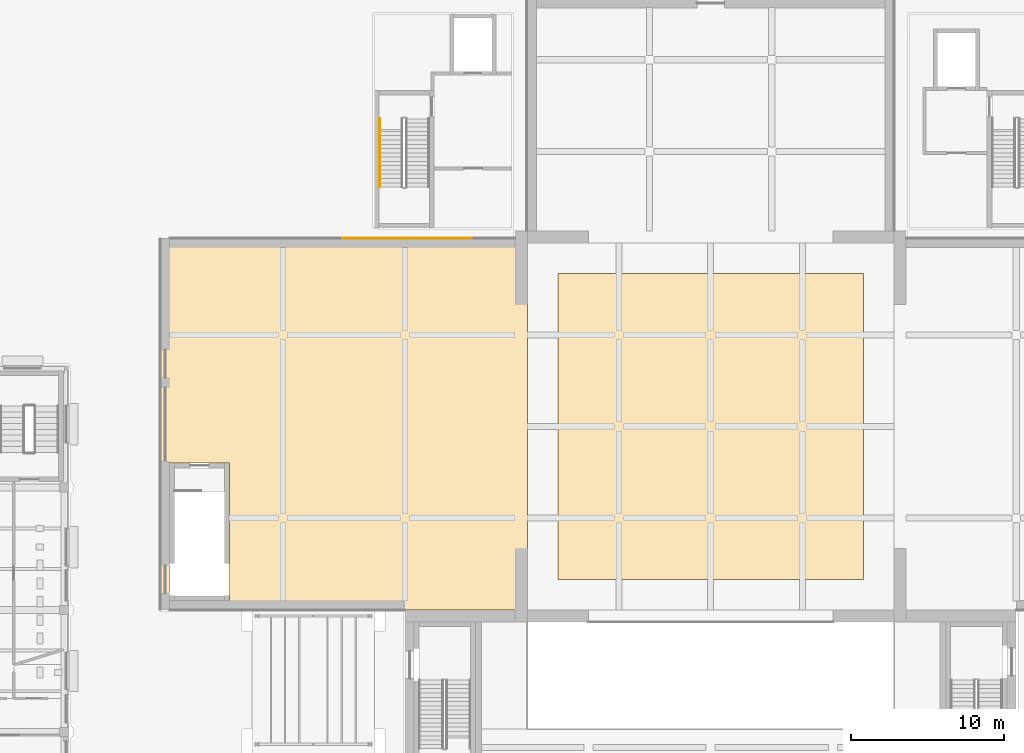
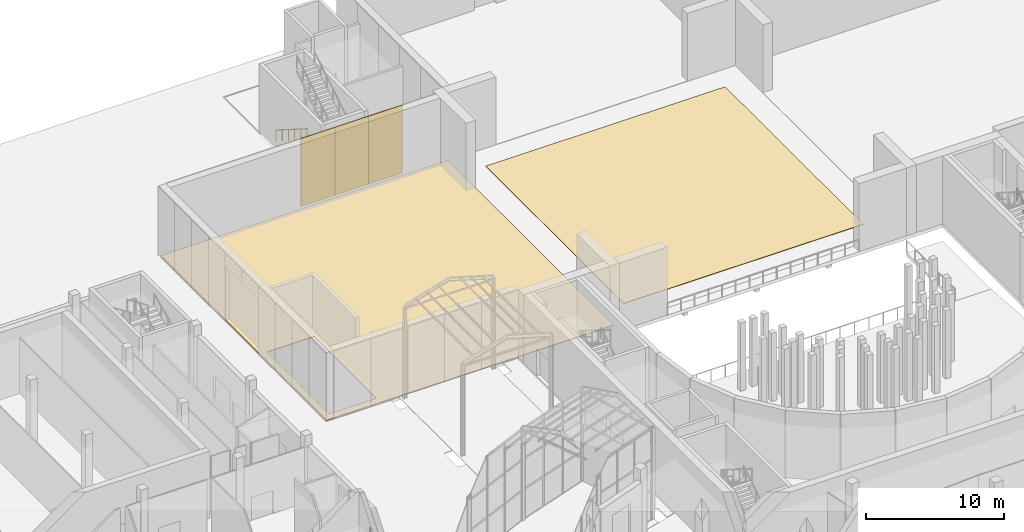
# One storey, part 136 of 155: 5 coverings, 1 railing.
"""IFC4 building model written with IfcOpenShell, lengths in metres."""

from ifc_helpers import new_model, si_unit, direction, frame, origin, origin_2d, place, context, subcontext, project, spatial, polyline, rectangle, circle, outline, extrude, material, layer, layer_set, type_object, element, save


model = new_model("IFC4")

# Units and contexts
model_context = context("Model", 3, precision=1e-05, world=origin(), true_north=direction((0.0, 1.0)))
body_context = subcontext(model_context, "Body", "Model", "MODEL_VIEW")
ifc_project = project(units=[si_unit("LENGTHUNIT", "METRE"), si_unit("AREAUNIT", "SQUARE_METRE"), si_unit("VOLUMEUNIT", "CUBIC_METRE"), si_unit("PLANEANGLEUNIT", "RADIAN"), si_unit("MASSUNIT", "GRAM", prefix="KILO")], contexts=[model_context])

# Site, building, storey
site_placement = place(None, origin())
site = spatial("IfcSite", under=ifc_project, at=site_placement, CompositionType="ELEMENT")
building_placement = place(site_placement, origin())
building = spatial("IfcBuilding", under=site, at=building_placement, Name="Lunette Opera House", CompositionType="ELEMENT")
storey_placement = place(building_placement, origin())
storey = spatial("IfcBuildingStorey", under=building, at=storey_placement, Name="L00", CompositionType="ELEMENT", Elevation=0.0)

# Railing
ifc_material_1 = material(Name="Steel S355", Category="steel")
railing_type = type_object("IfcRailingType", Name="STAIR HANDRAIL 1000", PredefinedType="HANDRAIL", material=ifc_material_1)
railing_placement = place(storey_placement, frame((74.35009765625, 128.14990234375, 0.176513671875)))
element("IfcRailing", 1, at=railing_placement, inside=storey, type_object=railing_type, Name="L00 ST11 stair handrail 1", PredefinedType="HANDRAIL", context=body_context, shape_type="SweptSolid", body=[
    extrude(circle(Radius=0.02392578125, at=origin_2d()), frame((0.0, 0.0, 0.97607421875), z_axis=(0.0, -0.845997938375, 0.533186166611), x_axis=(1.0, 0.0, 0.0)), (0.0, 0.0, 1.0), 5.29541015625),
    extrude(circle(Radius=0.02099609375, at=origin_2d()), origin(), (0.0, 0.0, 1.0), 0.951904296875),
    extrude(circle(Radius=0.02099609375, at=origin_2d()), frame((0.0, -0.89599609375, 0.564697265625)), (0.0, 0.0, 1.0), 0.951904296875),
    extrude(circle(Radius=0.02099609375, at=origin_2d()), frame((0.0, -1.7919921875, 1.12939453125)), (0.0, 0.0, 1.0), 0.951904296875),
    extrude(circle(Radius=0.02099609375, at=origin_2d()), frame((0.0, -2.68798828125, 1.694091796875)), (0.0, 0.0, 1.0), 0.951904296875),
    extrude(circle(Radius=0.02099609375, at=origin_2d()), frame((0.0, -3.583984375, 2.2587890625)), (0.0, 0.0, 1.0), 0.951904296875),
    extrude(circle(Radius=0.02099609375, at=origin_2d()), frame((0.0, -4.47998046875, 2.823486328125)), (0.0, 0.0, 1.0), 0.951904296875),
])

# Coverings
ifc_material_2 = material(Name="Aluminium standing seam cladding", Category="aluminium")
ifc_layer_1 = layer(ifc_material_2, 0.06005859375)
ifc_layer_set_1 = layer_set([ifc_layer_1], Name="Aluminium standing seam cladding")
covering_type_1 = type_object("IfcCoveringType", Name="STANDING SEAM CLADDING 60", PredefinedType="CLADDING", material=ifc_layer_set_1)
for number, where, z_axis, x_axis, name in (
    (2, (73.31201171875, 120.330078125, 0.0), (0.0, 0.0, 1.0), (1.0, 0.0, 0.0), "Standing seam cladding SW-N-1 L00 04"),
    (3, (76.137939453125, 120.330078125, 0.0), (0.0, 0.0, 1.0), (1.0, 0.0, 0.0), "Standing seam cladding SW-N-1 L00 05"),
    (4, (78.962890625, 120.330078125, 0.0), (0.0, 0.0, 1.0), (1.0, 0.0, 0.0), "Standing seam cladding SW-N-1 L00 06"),
):
    element("IfcCovering", number, at=place(storey_placement, frame(where, z_axis=z_axis, x_axis=x_axis)), inside=storey, type_object=covering_type_1, Name=name, PredefinedType="CLADDING", context=body_context, shape_type="SweptSolid", body=[
        extrude(rectangle(XDim=2.824951171875, YDim=0.06005859375, at=origin_2d()), origin(), (0.0, 0.0, 1.0), 6.0),
    ])
ifc_material_3 = material(Name="Timber", Category="wood")
ifc_layer_2 = layer(ifc_material_3, 0.0400390625)
ifc_layer_set_2 = layer_set([ifc_layer_2], Name="Timber")
covering_type_2 = type_object("IfcCoveringType", Name="TIMBER FLOOR FINISH 40", PredefinedType="FLOORING", material=ifc_layer_set_2)
covering_1_placement = place(storey_placement, origin())
element("IfcCovering", 5, at=covering_1_placement, inside=storey, type_object=covering_type_2, Name="Floor finish Main Stage", PredefinedType="FLOORING", context=body_context, shape_type="SweptSolid", body=[
    extrude(outline(polyline([(106.0, 98.0), (86.0, 98.0), (86.0, 118.0), (106.0, 118.0), (106.0, 98.0)])), origin(), (0.0, 0.0, 1.0), 0.0400390625),
])
covering_2_placement = place(storey_placement, origin())
element("IfcCovering", 6, at=covering_2_placement, inside=storey, type_object=covering_type_2, Name="Floor finish Side Stage West", PredefinedType="FLOORING", context=body_context, shape_type="SweptSolid", body=[
    extrude(outline(polyline([(60.0, 120.0), (84.0, 120.0), (84.0, 96.0), (60.0, 96.0), (60.0, 120.0)]), holes=[polyline([(64.5, 96.60009765625), (64.5, 105.60009765625), (60.60009765625, 105.60009765625), (60.60009765625, 96.60009765625), (64.5, 96.60009765625)])]), origin(), (0.0, 0.0, 1.0), 0.0400390625),
])

save(model, "model.ifc")
